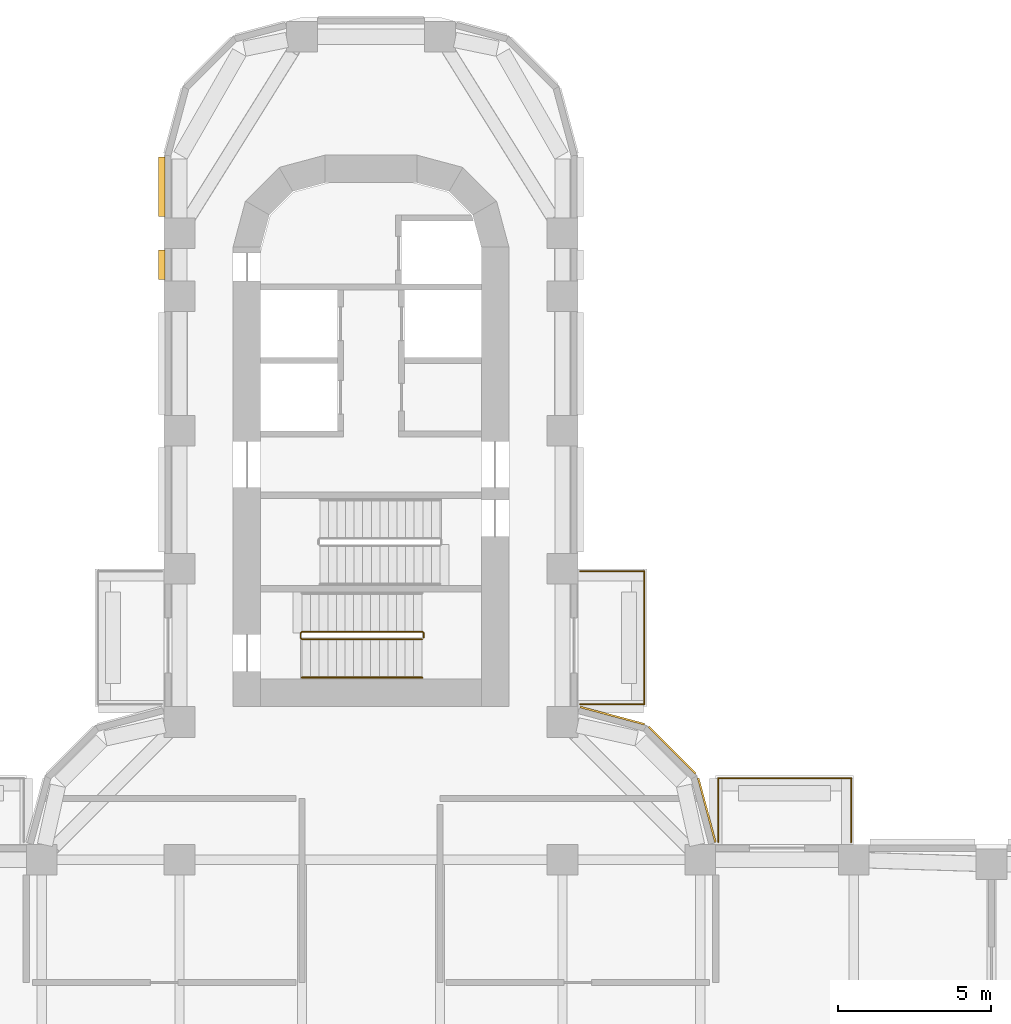
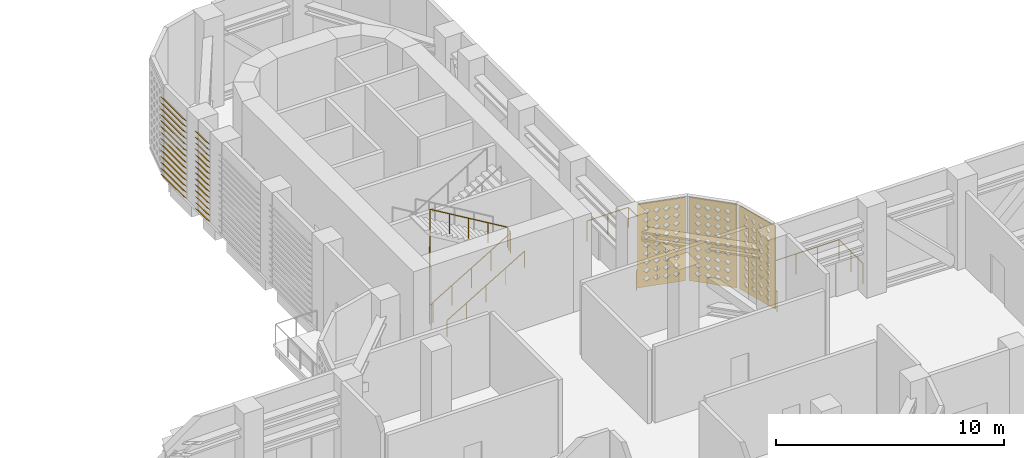
# One storey, part 16 of 20: 4 railings, 3 coverings, 2 shading devices.
"""IFC4 building model written with IfcOpenShell, lengths in metres."""

from ifc_helpers import new_model, si_unit, direction, frame, origin, origin_2d, place, context, subcontext, project, spatial, polyline, circle, outline, extrude, source, transform, mapped, material, layer, layer_set, type_object, element, save


model = new_model("IFC4")

# Units and contexts
model_context = context("Model", 3, precision=1e-05, world=origin(), true_north=direction((0.0, 1.0)))
body_context = subcontext(model_context, "Body", "Model", "MODEL_VIEW")
ifc_project = project(units=[si_unit("LENGTHUNIT", "METRE"), si_unit("AREAUNIT", "SQUARE_METRE"), si_unit("VOLUMEUNIT", "CUBIC_METRE"), si_unit("PLANEANGLEUNIT", "RADIAN"), si_unit("MASSUNIT", "GRAM", prefix="KILO")], contexts=[model_context])

# Site, building, storey
site_placement = place(None, origin())
site = spatial("IfcSite", under=ifc_project, at=site_placement, CompositionType="ELEMENT")
building_placement = place(site_placement, origin())
building = spatial("IfcBuilding", under=site, at=building_placement, Name="Zarbagh Exchange Tower", CompositionType="ELEMENT")
storey_placement = place(building_placement, frame((0.0, 0.0, 81.60009765625)))
storey = spatial("IfcBuildingStorey", under=building, at=storey_placement, Name="L18", CompositionType="ELEMENT", Elevation=81.60009765625)

# Railings
ifc_material_1 = material(Name="Stainless steel", Category="steel")
railing_type_1 = type_object("IfcRailingType", Name="Stair guard 1100 mm", PredefinedType="GUARDRAIL", material=ifc_material_1)
railing_1_placement = place(storey_placement, frame((1.719970703125, 13.5, 2.5)))
element("IfcRailing", 1, at=railing_1_placement, inside=storey, type_object=railing_type_1, Name="ST2 stair guard 1", PredefinedType="GUARDRAIL", context=body_context, shape_type="SweptSolid", body=[
    extrude(circle(Radius=0.02392578125, at=origin_2d()), frame((0.0, 0.0, 1.076171875), z_axis=(0.0, 1.0, 0.0), x_axis=(-1.0, 0.0, 0.0)), (0.0, 0.0, 1.0), 0.14990234375),
    extrude(circle(Radius=0.02392578125, at=origin_2d()), frame((0.0, 0.14990234375, 1.076171875), z_axis=(-0.27662974545, 0.27662974545, 0.920299933644), x_axis=(-0.707106781187, -0.707106781187, 0.0)), (0.0, 0.0, 1.0), 0.180908203125),
    extrude(circle(Radius=0.02392578125, at=origin_2d()), frame((-0.050048828125, 0.199951171875, 1.24267578125), z_axis=(-0.859272722373, 0.0, 0.511517730471), x_axis=(0.0, -1.0, 0.0)), (0.0, 0.0, 1.0), 4.56201171875),
    extrude(circle(Radius=0.02392578125, at=origin_2d()), frame((-3.969970703125, 0.199951171875, 3.576171875), z_axis=(-0.010008762843, -0.010008762843, -0.999899819648), x_axis=(0.707106781187, -0.707106781187, 0.0)), (0.0, 0.0, 1.0), 5.00048828125),
    extrude(circle(Radius=0.02392578125, at=origin_2d()), frame((-4.02001953125, 0.14990234375, -1.423828125), z_axis=(0.0, -1.0, 0.0), x_axis=(1.0, 0.0, 0.0)), (0.0, 0.0, 1.0), 0.14990234375),
    extrude(circle(Radius=0.02392578125, at=origin_2d()), frame((-4.02001953125, 0.0, -1.423828125), z_axis=(0.27662974545, -0.27662974545, 0.920299933644), x_axis=(0.707106781187, 0.707106781187, 0.0)), (0.0, 0.0, 1.0), 0.180908203125),
    extrude(circle(Radius=0.02392578125, at=origin_2d()), frame((-3.969970703125, -0.050048828125, -1.25732421875), z_axis=(0.859272722373, 0.0, 0.511517730471), x_axis=(0.0, 1.0, 0.0)), (0.0, 0.0, 1.0), 4.56201171875),
    extrude(circle(Radius=0.02099609375, at=origin_2d()), origin(), (0.0, 0.0, 1.0), 1.052001953125),
    extrude(circle(Radius=0.02099609375, at=origin_2d()), frame((0.0, 0.14990234375, 0.0)), (0.0, 0.0, 1.0), 1.052001953125),
    extrude(circle(Radius=0.02099609375, at=origin_2d()), frame((-0.050048828125, 0.199951171875, 0.16650390625)), (0.0, 0.0, 1.0), 1.052001953125),
    extrude(circle(Radius=0.02099609375, at=origin_2d()), frame((-1.030029296875, 0.199951171875, 0.75)), (0.0, 0.0, 1.0), 1.052001953125),
    extrude(circle(Radius=0.02099609375, at=origin_2d()), frame((-2.010009765625, 0.199951171875, 1.333251953125)), (0.0, 0.0, 1.0), 1.052001953125),
    extrude(circle(Radius=0.02099609375, at=origin_2d()), frame((-2.989990234375, 0.199951171875, 1.91650390625)), (0.0, 0.0, 1.0), 1.052001953125),
    extrude(circle(Radius=0.02099609375, at=origin_2d()), frame((-3.969970703125, 0.199951171875, 2.5)), (0.0, 0.0, 1.0), 1.052001953125),
    extrude(circle(Radius=0.02099609375, at=origin_2d()), frame((-3.97998046875, 0.18994140625, 1.5)), (0.0, 0.0, 1.0), 1.052001953125),
    extrude(circle(Radius=0.02099609375, at=origin_2d()), frame((-3.989990234375, 0.179931640625, 0.5)), (0.0, 0.0, 1.0), 1.052001953125),
    extrude(circle(Radius=0.02099609375, at=origin_2d()), frame((-4.0, 0.169921875, -0.5)), (0.0, 0.0, 1.0), 1.052001953125),
    extrude(circle(Radius=0.02099609375, at=origin_2d()), frame((-4.010009765625, 0.159912109375, -1.5)), (0.0, 0.0, 1.0), 1.052001953125),
    extrude(circle(Radius=0.02099609375, at=origin_2d()), frame((-4.02001953125, 0.14990234375, -2.5)), (0.0, 0.0, 1.0), 1.052001953125),
    extrude(circle(Radius=0.02099609375, at=origin_2d()), frame((-4.02001953125, 0.0, -2.5)), (0.0, 0.0, 1.0), 1.052001953125),
    extrude(circle(Radius=0.02099609375, at=origin_2d()), frame((-3.969970703125, -0.050048828125, -2.33349609375)), (0.0, 0.0, 1.0), 1.052001953125),
    extrude(circle(Radius=0.02099609375, at=origin_2d()), frame((-2.989990234375, -0.050048828125, -1.75)), (0.0, 0.0, 1.0), 1.052001953125),
    extrude(circle(Radius=0.02099609375, at=origin_2d()), frame((-2.010009765625, -0.050048828125, -1.166748046875)), (0.0, 0.0, 1.0), 1.052001953125),
    extrude(circle(Radius=0.02099609375, at=origin_2d()), frame((-1.030029296875, -0.050048828125, -0.58349609375)), (0.0, 0.0, 1.0), 1.052001953125),
    extrude(circle(Radius=0.02099609375, at=origin_2d()), frame((-0.050048828125, -0.050048828125, 0.0)), (0.0, 0.0, 1.0), 1.052001953125),
])
railing_type_2 = type_object("IfcRailingType", Name="Stair handrail 900 mm", PredefinedType="HANDRAIL", material=ifc_material_1)
railing_2_placement = place(storey_placement, frame((-2.25, 12.199951171875, 0.16650390625)))
element("IfcRailing", 2, at=railing_2_placement, inside=storey, type_object=railing_type_2, Name="ST2 stair handrail 1", PredefinedType="HANDRAIL", context=body_context, shape_type="SweptSolid", body=[
    extrude(circle(Radius=0.02392578125, at=origin_2d()), frame((0.0, 0.0, 0.8759765625), z_axis=(0.859272722373, 0.0, 0.511517730471), x_axis=(0.0, 1.0, 0.0)), (0.0, 0.0, 1.0), 4.56201171875),
    extrude(circle(Radius=0.02099609375, at=origin_2d()), origin(), (0.0, 0.0, 1.0), 0.851806640625),
    extrude(circle(Radius=0.02099609375, at=origin_2d()), frame((0.97998046875, 0.0, 0.58349609375)), (0.0, 0.0, 1.0), 0.851806640625),
    extrude(circle(Radius=0.02099609375, at=origin_2d()), frame((1.9599609375, 0.0, 1.166748046875)), (0.0, 0.0, 1.0), 0.851806640625),
    extrude(circle(Radius=0.02099609375, at=origin_2d()), frame((2.93994140625, 0.0, 1.75)), (0.0, 0.0, 1.0), 0.851806640625),
    extrude(circle(Radius=0.02099609375, at=origin_2d()), frame((3.919921875, 0.0, 2.33349609375)), (0.0, 0.0, 1.0), 0.851806640625),
])
ifc_material_2 = material(Name="Stainless steel and laminated glass", Category="steel")
railing_type_3 = type_object("IfcRailingType", Name="Terrace guard, glass balustrade 1.1 m", PredefinedType="GUARDRAIL", material=ifc_material_2)
railing_3_placement = place(storey_placement, frame((6.830078125, 15.669921875, 0.0)))
element("IfcRailing", 3, at=railing_3_placement, inside=storey, type_object=railing_type_3, Name="TG01 terrace guard", PredefinedType="GUARDRAIL", context=body_context, shape_type="SweptSolid", body=[
    extrude(circle(Radius=0.02490234375, at=origin_2d()), frame((0.0, 0.0, 1.0751953125), z_axis=(1.0, 0.0, 0.0), x_axis=(0.0, 1.0, 0.0)), (0.0, 0.0, 1.0), 2.08984375),
    extrude(circle(Radius=0.02490234375, at=origin_2d()), frame((2.08984375, 0.0, 1.0751953125), z_axis=(0.0, -1.0, 0.0), x_axis=(1.0, 0.0, 0.0)), (0.0, 0.0, 1.0), 4.33984375),
    extrude(circle(Radius=0.02490234375, at=origin_2d()), frame((2.08984375, -4.33984375, 1.0751953125), z_axis=(-1.0, 0.0, 0.0), x_axis=(0.0, -1.0, 0.0)), (0.0, 0.0, 1.0), 2.08984375),
    extrude(circle(Radius=0.02490234375, at=origin_2d()), origin(), (0.0, 0.0, 1.0), 1.050048828125),
    extrude(circle(Radius=0.02490234375, at=origin_2d()), frame((1.044921875, 0.0, 0.0)), (0.0, 0.0, 1.0), 1.050048828125),
    extrude(circle(Radius=0.02490234375, at=origin_2d()), frame((2.08984375, 0.0, 0.0)), (0.0, 0.0, 1.0), 1.050048828125),
    extrude(circle(Radius=0.02490234375, at=origin_2d()), frame((2.08984375, -1.0849609375, 0.0)), (0.0, 0.0, 1.0), 1.050048828125),
    extrude(circle(Radius=0.02490234375, at=origin_2d()), frame((2.08984375, -2.169921875, 0.0)), (0.0, 0.0, 1.0), 1.050048828125),
    extrude(circle(Radius=0.02490234375, at=origin_2d()), frame((2.08984375, -3.2548828125, 0.0)), (0.0, 0.0, 1.0), 1.050048828125),
    extrude(circle(Radius=0.02490234375, at=origin_2d()), frame((2.08984375, -4.33984375, 0.0)), (0.0, 0.0, 1.0), 1.050048828125),
    extrude(circle(Radius=0.02490234375, at=origin_2d()), frame((1.044921875, -4.33984375, 0.0)), (0.0, 0.0, 1.0), 1.050048828125),
    extrude(circle(Radius=0.02490234375, at=origin_2d()), frame((0.0, -4.33984375, 0.0)), (0.0, 0.0, 1.0), 1.050048828125),
])
railing_4_placement = place(storey_placement, frame((11.330078125, 6.830078125, 0.0)))
element("IfcRailing", 4, at=railing_4_placement, inside=storey, type_object=railing_type_3, Name="TG01 terrace guard", PredefinedType="GUARDRAIL", context=body_context, shape_type="SweptSolid", body=[
    extrude(circle(Radius=0.02490234375, at=origin_2d()), frame((0.0, 0.0, 1.0751953125), z_axis=(0.0, 1.0, 0.0), x_axis=(-1.0, 0.0, 0.0)), (0.0, 0.0, 1.0), 2.08984375),
    extrude(circle(Radius=0.02490234375, at=origin_2d()), frame((0.0, 2.08984375, 1.0751953125), z_axis=(1.0, 0.0, 0.0), x_axis=(0.0, 1.0, 0.0)), (0.0, 0.0, 1.0), 4.33984375),
    extrude(circle(Radius=0.02490234375, at=origin_2d()), frame((4.33984375, 2.08984375, 1.0751953125), z_axis=(0.0, -1.0, 0.0), x_axis=(1.0, 0.0, 0.0)), (0.0, 0.0, 1.0), 2.08984375),
    extrude(circle(Radius=0.02490234375, at=origin_2d()), origin(), (0.0, 0.0, 1.0), 1.050048828125),
    extrude(circle(Radius=0.02490234375, at=origin_2d()), frame((0.0, 1.044921875, 0.0)), (0.0, 0.0, 1.0), 1.050048828125),
    extrude(circle(Radius=0.02490234375, at=origin_2d()), frame((0.0, 2.08984375, 0.0)), (0.0, 0.0, 1.0), 1.050048828125),
    extrude(circle(Radius=0.02490234375, at=origin_2d()), frame((1.0849609375, 2.08984375, 0.0)), (0.0, 0.0, 1.0), 1.050048828125),
    extrude(circle(Radius=0.02490234375, at=origin_2d()), frame((2.169921875, 2.08984375, 0.0)), (0.0, 0.0, 1.0), 1.050048828125),
    extrude(circle(Radius=0.02490234375, at=origin_2d()), frame((3.2548828125, 2.08984375, 0.0)), (0.0, 0.0, 1.0), 1.050048828125),
    extrude(circle(Radius=0.02490234375, at=origin_2d()), frame((4.33984375, 2.08984375, 0.0)), (0.0, 0.0, 1.0), 1.050048828125),
    extrude(circle(Radius=0.02490234375, at=origin_2d()), frame((4.33984375, 1.044921875, 0.0)), (0.0, 0.0, 1.0), 1.050048828125),
    extrude(circle(Radius=0.02490234375, at=origin_2d()), frame((4.33984375, 0.0, 0.0)), (0.0, 0.0, 1.0), 1.050048828125),
])

# Coverings
ifc_material_3 = material(Name="Glass-fibre reinforced concrete GFRC C50/60", Category="concrete")
ifc_layer = layer(ifc_material_3, 0.06005859375)
ifc_layer_set = layer_set([ifc_layer], Name="SCREEN jali panel, GFRC")
covering_type = type_object("IfcCoveringType", Name="SCREEN jali panel, GFRC", PredefinedType="CLADDING", material=ifc_layer_set)
shared_shape_1 = source(origin(), body_context, "Body", "SweptSolid", [
    extrude(outline(polyline([(0.0, 0.0), (2.1650390625, 0.0), (2.1650390625, 4.449951171875), (0.0, 4.449951171875), (0.0, 0.0)]), holes=[polyline([(0.257568359375, 0.425048828125), (0.407470703125, 0.27490234375), (0.5576171875, 0.425048828125), (0.407470703125, 0.574951171875), (0.257568359375, 0.425048828125)]), polyline([(0.257568359375, 0.875), (0.407470703125, 0.72509765625), (0.5576171875, 0.875), (0.407470703125, 1.02490234375), (0.257568359375, 0.875)]), polyline([(0.257568359375, 1.324951171875), (0.407470703125, 1.175048828125), (0.5576171875, 1.324951171875), (0.407470703125, 1.47509765625), (0.257568359375, 1.324951171875)]), polyline([(0.257568359375, 1.77490234375), (0.407470703125, 1.625), (0.5576171875, 1.77490234375), (0.407470703125, 1.925048828125), (0.257568359375, 1.77490234375)]), polyline([(0.257568359375, 2.22509765625), (0.407470703125, 2.074951171875), (0.5576171875, 2.22509765625), (0.407470703125, 2.375), (0.257568359375, 2.22509765625)]), polyline([(0.257568359375, 2.675048828125), (0.407470703125, 2.52490234375), (0.5576171875, 2.675048828125), (0.407470703125, 2.824951171875), (0.257568359375, 2.675048828125)]), polyline([(0.257568359375, 3.125), (0.407470703125, 2.97509765625), (0.5576171875, 3.125), (0.407470703125, 3.27490234375), (0.257568359375, 3.125)]), polyline([(0.257568359375, 3.574951171875), (0.407470703125, 3.425048828125), (0.5576171875, 3.574951171875), (0.407470703125, 3.72509765625), (0.257568359375, 3.574951171875)]), polyline([(0.257568359375, 4.02490234375), (0.407470703125, 3.875), (0.5576171875, 4.02490234375), (0.407470703125, 4.175048828125), (0.257568359375, 4.02490234375)]), polyline([(0.70751953125, 0.425048828125), (0.857421875, 0.27490234375), (1.007568359375, 0.425048828125), (0.857421875, 0.574951171875), (0.70751953125, 0.425048828125)]), polyline([(0.70751953125, 0.875), (0.857421875, 0.72509765625), (1.007568359375, 0.875), (0.857421875, 1.02490234375), (0.70751953125, 0.875)]), polyline([(0.70751953125, 1.324951171875), (0.857421875, 1.175048828125), (1.007568359375, 1.324951171875), (0.857421875, 1.47509765625), (0.70751953125, 1.324951171875)]), polyline([(0.70751953125, 1.77490234375), (0.857421875, 1.625), (1.007568359375, 1.77490234375), (0.857421875, 1.925048828125), (0.70751953125, 1.77490234375)]), polyline([(0.70751953125, 2.22509765625), (0.857421875, 2.074951171875), (1.007568359375, 2.22509765625), (0.857421875, 2.375), (0.70751953125, 2.22509765625)]), polyline([(0.70751953125, 2.675048828125), (0.857421875, 2.52490234375), (1.007568359375, 2.675048828125), (0.857421875, 2.824951171875), (0.70751953125, 2.675048828125)]), polyline([(0.70751953125, 3.125), (0.857421875, 2.97509765625), (1.007568359375, 3.125), (0.857421875, 3.27490234375), (0.70751953125, 3.125)]), polyline([(0.70751953125, 3.574951171875), (0.857421875, 3.425048828125), (1.007568359375, 3.574951171875), (0.857421875, 3.72509765625), (0.70751953125, 3.574951171875)]), polyline([(0.70751953125, 4.02490234375), (0.857421875, 3.875), (1.007568359375, 4.02490234375), (0.857421875, 4.175048828125), (0.70751953125, 4.02490234375)]), polyline([(1.157470703125, 0.425048828125), (1.3076171875, 0.27490234375), (1.45751953125, 0.425048828125), (1.3076171875, 0.574951171875), (1.157470703125, 0.425048828125)]), polyline([(1.157470703125, 0.875), (1.3076171875, 0.72509765625), (1.45751953125, 0.875), (1.3076171875, 1.02490234375), (1.157470703125, 0.875)]), polyline([(1.157470703125, 1.324951171875), (1.3076171875, 1.175048828125), (1.45751953125, 1.324951171875), (1.3076171875, 1.47509765625), (1.157470703125, 1.324951171875)]), polyline([(1.157470703125, 1.77490234375), (1.3076171875, 1.625), (1.45751953125, 1.77490234375), (1.3076171875, 1.925048828125), (1.157470703125, 1.77490234375)]), polyline([(1.157470703125, 2.22509765625), (1.3076171875, 2.074951171875), (1.45751953125, 2.22509765625), (1.3076171875, 2.375), (1.157470703125, 2.22509765625)]), polyline([(1.157470703125, 2.675048828125), (1.3076171875, 2.52490234375), (1.45751953125, 2.675048828125), (1.3076171875, 2.824951171875), (1.157470703125, 2.675048828125)]), polyline([(1.157470703125, 3.125), (1.3076171875, 2.97509765625), (1.45751953125, 3.125), (1.3076171875, 3.27490234375), (1.157470703125, 3.125)]), polyline([(1.157470703125, 3.574951171875), (1.3076171875, 3.425048828125), (1.45751953125, 3.574951171875), (1.3076171875, 3.72509765625), (1.157470703125, 3.574951171875)]), polyline([(1.157470703125, 4.02490234375), (1.3076171875, 3.875), (1.45751953125, 4.02490234375), (1.3076171875, 4.175048828125), (1.157470703125, 4.02490234375)]), polyline([(1.607421875, 0.425048828125), (1.757568359375, 0.27490234375), (1.907470703125, 0.425048828125), (1.757568359375, 0.574951171875), (1.607421875, 0.425048828125)]), polyline([(1.607421875, 0.875), (1.757568359375, 0.72509765625), (1.907470703125, 0.875), (1.757568359375, 1.02490234375), (1.607421875, 0.875)]), polyline([(1.607421875, 1.324951171875), (1.757568359375, 1.175048828125), (1.907470703125, 1.324951171875), (1.757568359375, 1.47509765625), (1.607421875, 1.324951171875)]), polyline([(1.607421875, 1.77490234375), (1.757568359375, 1.625), (1.907470703125, 1.77490234375), (1.757568359375, 1.925048828125), (1.607421875, 1.77490234375)]), polyline([(1.607421875, 2.22509765625), (1.757568359375, 2.074951171875), (1.907470703125, 2.22509765625), (1.757568359375, 2.375), (1.607421875, 2.22509765625)]), polyline([(1.607421875, 2.675048828125), (1.757568359375, 2.52490234375), (1.907470703125, 2.675048828125), (1.757568359375, 2.824951171875), (1.607421875, 2.675048828125)]), polyline([(1.607421875, 3.125), (1.757568359375, 2.97509765625), (1.907470703125, 3.125), (1.757568359375, 3.27490234375), (1.607421875, 3.125)]), polyline([(1.607421875, 3.574951171875), (1.757568359375, 3.425048828125), (1.907470703125, 3.574951171875), (1.757568359375, 3.72509765625), (1.607421875, 3.574951171875)]), polyline([(1.607421875, 4.02490234375), (1.757568359375, 3.875), (1.907470703125, 4.02490234375), (1.757568359375, 4.175048828125), (1.607421875, 4.02490234375)])]), origin(), (0.0, 0.0, 1.0), 0.06005859375),
])
placement = place(storey_placement, origin())
element("IfcCovering", 5, at=placement, inside=storey, type_object=covering_type, Name="JS15 jali screen", PredefinedType="CLADDING", context=body_context, shape_type="MappedRepresentation", body=[
    mapped(shared_shape_1, transform((10.574951171875, 9.0439453125, 0.199951171875), x_axis=(-0.707106781187, 0.707106781187, 0.0), y_axis=(0.0, 0.0, 1.0), z_axis=(0.707106781187, 0.707106781187, 0.0))),
])
shared_shape_2 = source(origin(), body_context, "Body", "SweptSolid", [
    extrude(outline(polyline([(0.0, 0.0), (2.173583984375, 0.0), (2.173583984375, 4.449951171875), (0.0, 4.449951171875), (0.0, 0.0)]), holes=[polyline([(0.261962890625, 0.425048828125), (0.411865234375, 0.27490234375), (0.561767578125, 0.425048828125), (0.411865234375, 0.574951171875), (0.261962890625, 0.425048828125)]), polyline([(0.261962890625, 0.875), (0.411865234375, 0.72509765625), (0.561767578125, 0.875), (0.411865234375, 1.02490234375), (0.261962890625, 0.875)]), polyline([(0.261962890625, 1.324951171875), (0.411865234375, 1.175048828125), (0.561767578125, 1.324951171875), (0.411865234375, 1.47509765625), (0.261962890625, 1.324951171875)]), polyline([(0.261962890625, 1.77490234375), (0.411865234375, 1.625), (0.561767578125, 1.77490234375), (0.411865234375, 1.925048828125), (0.261962890625, 1.77490234375)]), polyline([(0.261962890625, 2.22509765625), (0.411865234375, 2.074951171875), (0.561767578125, 2.22509765625), (0.411865234375, 2.375), (0.261962890625, 2.22509765625)]), polyline([(0.261962890625, 2.675048828125), (0.411865234375, 2.52490234375), (0.561767578125, 2.675048828125), (0.411865234375, 2.824951171875), (0.261962890625, 2.675048828125)]), polyline([(0.261962890625, 3.125), (0.411865234375, 2.97509765625), (0.561767578125, 3.125), (0.411865234375, 3.27490234375), (0.261962890625, 3.125)]), polyline([(0.261962890625, 3.574951171875), (0.411865234375, 3.425048828125), (0.561767578125, 3.574951171875), (0.411865234375, 3.72509765625), (0.261962890625, 3.574951171875)]), polyline([(0.261962890625, 4.02490234375), (0.411865234375, 3.875), (0.561767578125, 4.02490234375), (0.411865234375, 4.175048828125), (0.261962890625, 4.02490234375)]), polyline([(0.7119140625, 0.425048828125), (0.86181640625, 0.27490234375), (1.011962890625, 0.425048828125), (0.86181640625, 0.574951171875), (0.7119140625, 0.425048828125)]), polyline([(0.7119140625, 0.875), (0.86181640625, 0.72509765625), (1.011962890625, 0.875), (0.86181640625, 1.02490234375), (0.7119140625, 0.875)]), polyline([(0.7119140625, 1.324951171875), (0.86181640625, 1.175048828125), (1.011962890625, 1.324951171875), (0.86181640625, 1.47509765625), (0.7119140625, 1.324951171875)]), polyline([(0.7119140625, 1.77490234375), (0.86181640625, 1.625), (1.011962890625, 1.77490234375), (0.86181640625, 1.925048828125), (0.7119140625, 1.77490234375)]), polyline([(0.7119140625, 2.22509765625), (0.86181640625, 2.074951171875), (1.011962890625, 2.22509765625), (0.86181640625, 2.375), (0.7119140625, 2.22509765625)]), polyline([(0.7119140625, 2.675048828125), (0.86181640625, 2.52490234375), (1.011962890625, 2.675048828125), (0.86181640625, 2.824951171875), (0.7119140625, 2.675048828125)]), polyline([(0.7119140625, 3.125), (0.86181640625, 2.97509765625), (1.011962890625, 3.125), (0.86181640625, 3.27490234375), (0.7119140625, 3.125)]), polyline([(0.7119140625, 3.574951171875), (0.86181640625, 3.425048828125), (1.011962890625, 3.574951171875), (0.86181640625, 3.72509765625), (0.7119140625, 3.574951171875)]), polyline([(0.7119140625, 4.02490234375), (0.86181640625, 3.875), (1.011962890625, 4.02490234375), (0.86181640625, 4.175048828125), (0.7119140625, 4.02490234375)]), polyline([(1.161865234375, 0.425048828125), (1.311767578125, 0.27490234375), (1.4619140625, 0.425048828125), (1.311767578125, 0.574951171875), (1.161865234375, 0.425048828125)]), polyline([(1.161865234375, 0.875), (1.311767578125, 0.72509765625), (1.4619140625, 0.875), (1.311767578125, 1.02490234375), (1.161865234375, 0.875)]), polyline([(1.161865234375, 1.324951171875), (1.311767578125, 1.175048828125), (1.4619140625, 1.324951171875), (1.311767578125, 1.47509765625), (1.161865234375, 1.324951171875)]), polyline([(1.161865234375, 1.77490234375), (1.311767578125, 1.625), (1.4619140625, 1.77490234375), (1.311767578125, 1.925048828125), (1.161865234375, 1.77490234375)]), polyline([(1.161865234375, 2.22509765625), (1.311767578125, 2.074951171875), (1.4619140625, 2.22509765625), (1.311767578125, 2.375), (1.161865234375, 2.22509765625)]), polyline([(1.161865234375, 2.675048828125), (1.311767578125, 2.52490234375), (1.4619140625, 2.675048828125), (1.311767578125, 2.824951171875), (1.161865234375, 2.675048828125)]), polyline([(1.161865234375, 3.125), (1.311767578125, 2.97509765625), (1.4619140625, 3.125), (1.311767578125, 3.27490234375), (1.161865234375, 3.125)]), polyline([(1.161865234375, 3.574951171875), (1.311767578125, 3.425048828125), (1.4619140625, 3.574951171875), (1.311767578125, 3.72509765625), (1.161865234375, 3.574951171875)]), polyline([(1.161865234375, 4.02490234375), (1.311767578125, 3.875), (1.4619140625, 4.02490234375), (1.311767578125, 4.175048828125), (1.161865234375, 4.02490234375)]), polyline([(1.61181640625, 0.425048828125), (1.761962890625, 0.27490234375), (1.911865234375, 0.425048828125), (1.761962890625, 0.574951171875), (1.61181640625, 0.425048828125)]), polyline([(1.61181640625, 0.875), (1.761962890625, 0.72509765625), (1.911865234375, 0.875), (1.761962890625, 1.02490234375), (1.61181640625, 0.875)]), polyline([(1.61181640625, 1.324951171875), (1.761962890625, 1.175048828125), (1.911865234375, 1.324951171875), (1.761962890625, 1.47509765625), (1.61181640625, 1.324951171875)]), polyline([(1.61181640625, 1.77490234375), (1.761962890625, 1.625), (1.911865234375, 1.77490234375), (1.761962890625, 1.925048828125), (1.61181640625, 1.77490234375)]), polyline([(1.61181640625, 2.22509765625), (1.761962890625, 2.074951171875), (1.911865234375, 2.22509765625), (1.761962890625, 2.375), (1.61181640625, 2.22509765625)]), polyline([(1.61181640625, 2.675048828125), (1.761962890625, 2.52490234375), (1.911865234375, 2.675048828125), (1.761962890625, 2.824951171875), (1.61181640625, 2.675048828125)]), polyline([(1.61181640625, 3.125), (1.761962890625, 2.97509765625), (1.911865234375, 3.125), (1.761962890625, 3.27490234375), (1.61181640625, 3.125)]), polyline([(1.61181640625, 3.574951171875), (1.761962890625, 3.425048828125), (1.911865234375, 3.574951171875), (1.761962890625, 3.72509765625), (1.61181640625, 3.574951171875)]), polyline([(1.61181640625, 4.02490234375), (1.761962890625, 3.875), (1.911865234375, 4.02490234375), (1.761962890625, 4.175048828125), (1.61181640625, 4.02490234375)])]), origin(), (0.0, 0.0, 1.0), 0.06005859375),
])
element("IfcCovering", 6, at=placement, inside=storey, type_object=covering_type, Name="JS14 jali screen", PredefinedType="CLADDING", context=body_context, shape_type="MappedRepresentation", body=[
    mapped(shared_shape_2, transform((11.211669921875, 6.81591796875, 0.199951171875), x_axis=(-0.258825057666, 0.965924215207, 0.0), y_axis=(0.0, 0.0, 1.0), z_axis=(0.965924215207, 0.258825057666, 0.0))),
])
element("IfcCovering", 7, at=placement, inside=storey, type_object=covering_type, Name="JS16 jali screen", PredefinedType="CLADDING", context=body_context, shape_type="MappedRepresentation", body=[
    mapped(shared_shape_2, transform((8.91552734375, 10.64892578125, 0.199951171875), x_axis=(-0.965924215207, 0.258825057666, 0.0), y_axis=(0.0, 0.0, 1.0), z_axis=(0.258825057666, 0.965924215207, 0.0))),
])

# Shading devices
ifc_material_4 = material(Name="Anodised aluminium", Category="aluminium")
shading_device_type = type_object("IfcShadingDeviceType", Name="LOUVRE plant louvre, fixed blades", PredefinedType="USERDEFINED", material=ifc_material_4)
shared_shape_3 = source(origin(), body_context, "Body", "SweptSolid", [
    extrude(outline(polyline([(0.0, 0.199951171875), (0.199951171875, 0.0), (0.199951171875, -0.02001953125), (0.0, 0.179931640625), (0.0, 0.199951171875)])), origin(), (0.0, 0.0, 1.0), 0.969970703125),
])
element("IfcShadingDevice", 8, at=placement, inside=storey, type_object=shading_device_type, Name="LV05 plant louvre", ObjectType="LOUVRE", PredefinedType="USERDEFINED", context=body_context, shape_type="MappedRepresentation", body=[
    mapped(shared_shape_3, transform((-6.72998046875, 26.159912109375, 0.199951171875), x_axis=(-1.0, 0.0, 0.0), y_axis=(0.0, 0.0, -1.0), z_axis=(0.0, -1.0, 0.0))),
    mapped(shared_shape_3, transform((-6.72998046875, 26.159912109375, 0.517822265625), x_axis=(-1.0, 0.0, 0.0), y_axis=(0.0, 0.0, -1.0), z_axis=(0.0, -1.0, 0.0))),
    mapped(shared_shape_3, transform((-6.72998046875, 26.159912109375, 0.835693359375), x_axis=(-1.0, 0.0, 0.0), y_axis=(0.0, 0.0, -1.0), z_axis=(0.0, -1.0, 0.0))),
    mapped(shared_shape_3, transform((-6.72998046875, 26.159912109375, 1.153564453125), x_axis=(-1.0, 0.0, 0.0), y_axis=(0.0, 0.0, -1.0), z_axis=(0.0, -1.0, 0.0))),
    mapped(shared_shape_3, transform((-6.72998046875, 26.159912109375, 1.471435546875), x_axis=(-1.0, 0.0, 0.0), y_axis=(0.0, 0.0, -1.0), z_axis=(0.0, -1.0, 0.0))),
    mapped(shared_shape_3, transform((-6.72998046875, 26.159912109375, 1.789306640625), x_axis=(-1.0, 0.0, 0.0), y_axis=(0.0, 0.0, -1.0), z_axis=(0.0, -1.0, 0.0))),
    mapped(shared_shape_3, transform((-6.72998046875, 26.159912109375, 2.10693359375), x_axis=(-1.0, 0.0, 0.0), y_axis=(0.0, 0.0, -1.0), z_axis=(0.0, -1.0, 0.0))),
    mapped(shared_shape_3, transform((-6.72998046875, 26.159912109375, 2.4248046875), x_axis=(-1.0, 0.0, 0.0), y_axis=(0.0, 0.0, -1.0), z_axis=(0.0, -1.0, 0.0))),
    mapped(shared_shape_3, transform((-6.72998046875, 26.159912109375, 2.74267578125), x_axis=(-1.0, 0.0, 0.0), y_axis=(0.0, 0.0, -1.0), z_axis=(0.0, -1.0, 0.0))),
    mapped(shared_shape_3, transform((-6.72998046875, 26.159912109375, 3.060546875), x_axis=(-1.0, 0.0, 0.0), y_axis=(0.0, 0.0, -1.0), z_axis=(0.0, -1.0, 0.0))),
    mapped(shared_shape_3, transform((-6.72998046875, 26.159912109375, 3.37841796875), x_axis=(-1.0, 0.0, 0.0), y_axis=(0.0, 0.0, -1.0), z_axis=(0.0, -1.0, 0.0))),
    mapped(shared_shape_3, transform((-6.72998046875, 26.159912109375, 3.6962890625), x_axis=(-1.0, 0.0, 0.0), y_axis=(0.0, 0.0, -1.0), z_axis=(0.0, -1.0, 0.0))),
    mapped(shared_shape_3, transform((-6.72998046875, 26.159912109375, 4.01416015625), x_axis=(-1.0, 0.0, 0.0), y_axis=(0.0, 0.0, -1.0), z_axis=(0.0, -1.0, 0.0))),
    mapped(shared_shape_3, transform((-6.72998046875, 26.159912109375, 4.33203125), x_axis=(-1.0, 0.0, 0.0), y_axis=(0.0, 0.0, -1.0), z_axis=(0.0, -1.0, 0.0))),
])
shared_shape_4 = source(origin(), body_context, "Body", "SweptSolid", [
    extrude(outline(polyline([(0.0, 0.199951171875), (0.199951171875, 0.0), (0.199951171875, -0.02001953125), (0.0, 0.179931640625), (0.0, 0.199951171875)])), origin(), (0.0, 0.0, 1.0), 1.944091796875),
])
element("IfcShadingDevice", 9, at=placement, inside=storey, type_object=shading_device_type, Name="LV05 plant louvre", ObjectType="LOUVRE", PredefinedType="USERDEFINED", context=body_context, shape_type="MappedRepresentation", body=[
    mapped(shared_shape_4, transform((-6.72998046875, 29.18408203125, 0.199951171875), x_axis=(-1.0, 0.0, 0.0), y_axis=(0.0, 0.0, -1.0), z_axis=(0.0, -1.0, 0.0))),
    mapped(shared_shape_4, transform((-6.72998046875, 29.18408203125, 0.517822265625), x_axis=(-1.0, 0.0, 0.0), y_axis=(0.0, 0.0, -1.0), z_axis=(0.0, -1.0, 0.0))),
    mapped(shared_shape_4, transform((-6.72998046875, 29.18408203125, 0.835693359375), x_axis=(-1.0, 0.0, 0.0), y_axis=(0.0, 0.0, -1.0), z_axis=(0.0, -1.0, 0.0))),
    mapped(shared_shape_4, transform((-6.72998046875, 29.18408203125, 1.153564453125), x_axis=(-1.0, 0.0, 0.0), y_axis=(0.0, 0.0, -1.0), z_axis=(0.0, -1.0, 0.0))),
    mapped(shared_shape_4, transform((-6.72998046875, 29.18408203125, 1.471435546875), x_axis=(-1.0, 0.0, 0.0), y_axis=(0.0, 0.0, -1.0), z_axis=(0.0, -1.0, 0.0))),
    mapped(shared_shape_4, transform((-6.72998046875, 29.18408203125, 1.789306640625), x_axis=(-1.0, 0.0, 0.0), y_axis=(0.0, 0.0, -1.0), z_axis=(0.0, -1.0, 0.0))),
    mapped(shared_shape_4, transform((-6.72998046875, 29.18408203125, 2.10693359375), x_axis=(-1.0, 0.0, 0.0), y_axis=(0.0, 0.0, -1.0), z_axis=(0.0, -1.0, 0.0))),
    mapped(shared_shape_4, transform((-6.72998046875, 29.18408203125, 2.4248046875), x_axis=(-1.0, 0.0, 0.0), y_axis=(0.0, 0.0, -1.0), z_axis=(0.0, -1.0, 0.0))),
    mapped(shared_shape_4, transform((-6.72998046875, 29.18408203125, 2.74267578125), x_axis=(-1.0, 0.0, 0.0), y_axis=(0.0, 0.0, -1.0), z_axis=(0.0, -1.0, 0.0))),
    mapped(shared_shape_4, transform((-6.72998046875, 29.18408203125, 3.060546875), x_axis=(-1.0, 0.0, 0.0), y_axis=(0.0, 0.0, -1.0), z_axis=(0.0, -1.0, 0.0))),
    mapped(shared_shape_4, transform((-6.72998046875, 29.18408203125, 3.37841796875), x_axis=(-1.0, 0.0, 0.0), y_axis=(0.0, 0.0, -1.0), z_axis=(0.0, -1.0, 0.0))),
    mapped(shared_shape_4, transform((-6.72998046875, 29.18408203125, 3.6962890625), x_axis=(-1.0, 0.0, 0.0), y_axis=(0.0, 0.0, -1.0), z_axis=(0.0, -1.0, 0.0))),
    mapped(shared_shape_4, transform((-6.72998046875, 29.18408203125, 4.01416015625), x_axis=(-1.0, 0.0, 0.0), y_axis=(0.0, 0.0, -1.0), z_axis=(0.0, -1.0, 0.0))),
    mapped(shared_shape_4, transform((-6.72998046875, 29.18408203125, 4.33203125), x_axis=(-1.0, 0.0, 0.0), y_axis=(0.0, 0.0, -1.0), z_axis=(0.0, -1.0, 0.0))),
])

save(model, "model.ifc")
